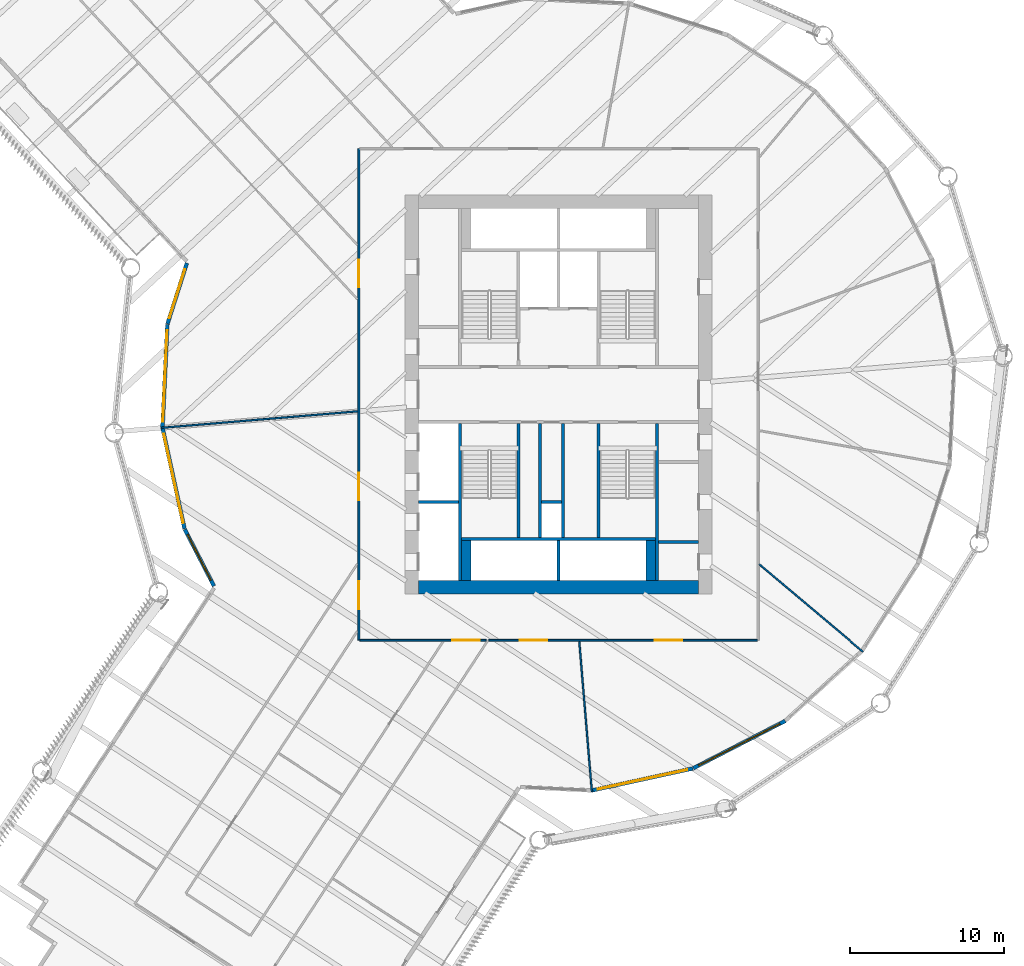
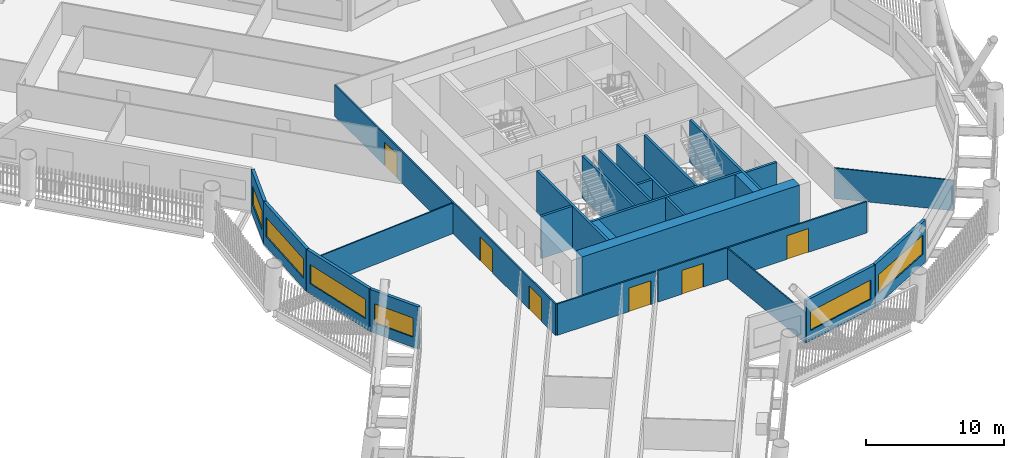
# One storey, part 4 of 22: 26 walls, 6 doors, 6 windows, 12 openings.
"""IFC4 building model written with IfcOpenShell, lengths in metres."""

from ifc_helpers import new_model, si_unit, direction, frame, frame_2d, origin, place, context, subcontext, project, spatial, rectangle, extrude, material, layer, layer_set, type_object, element, fill, save


model = new_model("IFC4")

# Units and contexts
model_context = context("Model", 3, precision=1e-05, world=origin(), true_north=direction((0.0, 1.0)))
body_context = subcontext(model_context, "Body", "Model", "MODEL_VIEW")
ifc_project = project(units=[si_unit("LENGTHUNIT", "METRE"), si_unit("AREAUNIT", "SQUARE_METRE"), si_unit("VOLUMEUNIT", "CUBIC_METRE"), si_unit("PLANEANGLEUNIT", "RADIAN"), si_unit("MASSUNIT", "GRAM", prefix="KILO")], contexts=[model_context])

# Site, building, storey
site_placement = place(None, origin())
site = spatial("IfcSite", under=ifc_project, at=site_placement, CompositionType="ELEMENT")
building_placement = place(site_placement, origin())
building = spatial("IfcBuilding", under=site, at=building_placement, Name="Tarsis Ring Headquarters", CompositionType="ELEMENT")
storey_placement = place(building_placement, frame((0.0, 0.0, 63.39990234375)))
storey = spatial("IfcBuildingStorey", under=building, at=storey_placement, Name="L13", CompositionType="ELEMENT", Elevation=63.39990234375)

# Walls
ifc_material_1 = material(Name="Blockwork", Category="masonry")
ifc_layer_1 = layer(ifc_material_1, 0.199951171875)
ifc_layer_set_1 = layer_set([ifc_layer_1], Name="Core blockwork wall 200")
wall_type_1 = type_object("IfcWallType", Name="Core blockwork wall 200", PredefinedType="PARTITIONING", material=ifc_layer_set_1)
wall_1_placement = place(storey_placement, frame((6.5, -9.60009765625, 0.0), z_axis=(0.0, 0.0, 1.0), x_axis=(1.0, 0.0, 0.0)))
element("IfcWall", 1, at=wall_1_placement, inside=storey, type_object=wall_type_1, Name="Core partition ED1", PredefinedType="PARTITIONING", context=body_context, shape_type="SweptSolid", body=[
    extrude(rectangle(XDim=2.60009765625, YDim=0.199951171875, at=frame_2d((1.300048828125, 0.0))), origin(), (0.0, 0.0, 1.0), 3.739990234375),
])
wall_2_placement = place(storey_placement, frame((-1.10009765625, -7.0, 0.0), z_axis=(0.0, 0.0, 1.0), x_axis=(1.0, 0.0, 0.0)))
element("IfcWall", 2, at=wall_2_placement, inside=storey, type_object=wall_type_1, Name="Core partition SP2", PredefinedType="PARTITIONING", context=body_context, shape_type="SweptSolid", body=[
    extrude(rectangle(XDim=1.300048828125, YDim=0.199951171875, at=frame_2d((0.64990234375, 0.0))), origin(), (0.0, 0.0, 1.0), 3.739990234375),
])
for number, where, z_axis, x_axis, name in (
    (3, (-1.199951171875, -9.300048828125, 0.0), (0.0, 0.0, 1.0), (0.0, 1.0, 0.0), "Core partition SV1"),
    (4, (0.300048828125, -9.300048828125, 0.0), (0.0, 0.0, 1.0), (0.0, 1.0, 0.0), "Core partition SV2"),
):
    element("IfcWall", number, at=place(storey_placement, frame(where, z_axis=z_axis, x_axis=x_axis)), inside=storey, type_object=wall_type_1, Name=name, PredefinedType="PARTITIONING", context=body_context, shape_type="SweptSolid", body=[
        extrude(rectangle(XDim=7.400146484375, YDim=0.199951171875, at=frame_2d((3.7001953125, 0.0))), origin(), (0.0, 0.0, 1.0), 3.739990234375),
    ])
ifc_material_2 = material(Name="Concrete C60/75", Category="concrete")
ifc_layer_2 = layer(ifc_material_2, 0.89990234375)
ifc_layer_set_2 = layer_set([ifc_layer_2], Name="Core wall 900 C60/75")
wall_type_2 = type_object("IfcWallType", Name="Core wall 900 C60/75", PredefinedType="SHEAR", material=ifc_layer_set_2)
wall_3_placement = place(storey_placement, frame((-9.10009765625, -12.550048828125, 0.0), z_axis=(0.0, 0.0, 1.0), x_axis=(1.0, 0.0, 0.0)))
element("IfcWall", 5, at=wall_3_placement, inside=storey, type_object=wall_type_2, Name="Core wall OS", PredefinedType="SHEAR", context=body_context, shape_type="SweptSolid", body=[
    extrude(rectangle(XDim=18.2001953125, YDim=0.89990234375, at=frame_2d((9.10009765625, 0.0))), origin(), (0.0, 0.0, 1.0), 3.739990234375),
])
ifc_material_3 = material(Name="Gypsum board on steel studs", Category="steel")
ifc_layer_3 = layer(ifc_material_3, 0.10009765625)
ifc_layer_set_3 = layer_set([ifc_layer_3], Name="FL partition 100 unrated")
wall_type_3 = type_object("IfcWallType", Name="FL partition 100 unrated", PredefinedType="PARTITIONING", material=ifc_layer_set_3)
wall_4_placement = place(storey_placement, frame((-25.856689453125, -2.17138671875, 0.0), z_axis=(0.0, 0.0, 1.0), x_axis=(0.996491354521, 0.083695760736, 0.0)))
element("IfcWall", 6, at=wall_4_placement, inside=storey, type_object=wall_type_3, Name="Partition PW3", PredefinedType="PARTITIONING", context=body_context, shape_type="SweptSolid", body=[
    extrude(rectangle(XDim=12.831787109375, YDim=0.10009765625, at=frame_2d((6.416015625, 0.0))), origin(), (0.0, 0.0, 1.0), 2.7001953125),
])
wall_5_placement = place(storey_placement, frame((1.349365234375, -16.06982421875, 0.0), z_axis=(0.0, 0.0, 1.0), x_axis=(0.083697604442, -0.996491199665, 0.0)))
element("IfcWall", 7, at=wall_5_placement, inside=storey, type_object=wall_type_3, Name="Partition PW3", PredefinedType="PARTITIONING", context=body_context, shape_type="SweptSolid", body=[
    extrude(rectangle(XDim=9.8212890625, YDim=0.10009765625, at=frame_2d((4.91064453125, 0.0))), origin(), (0.0, 0.0, 1.0), 2.7001953125),
])
wall_6_placement = place(storey_placement, frame((13.083984375, -11.056884765625, 0.0), z_axis=(0.0, 0.0, 1.0), x_axis=(0.763795720426, -0.645458052439, 0.0)))
element("IfcWall", 8, at=wall_6_placement, inside=storey, type_object=wall_type_3, Name="Partition PW3", PredefinedType="PARTITIONING", context=body_context, shape_type="SweptSolid", body=[
    extrude(rectangle(XDim=8.817626953125, YDim=0.10009765625, at=frame_2d((4.40869140625, 0.0))), origin(), (0.0, 0.0, 1.0), 2.7001953125),
])

# Wall, openings, doors
ifc_layer_4 = layer(ifc_material_3, 0.125)
ifc_layer_set_4 = layer_set([ifc_layer_4], Name="FL partition 125 EI 60 H2770")
wall_type_4 = type_object("IfcWallType", Name="FL partition 125 EI 60 H2770", PredefinedType="PARTITIONING", material=ifc_layer_set_4)
wall_7_placement = place(storey_placement, frame((-13.0, -15.9990234375, 0.0), z_axis=(0.0, 0.0, 1.0), x_axis=(0.0, 1.0, 0.0)))
wall_7 = element("IfcWall", 9, at=wall_7_placement, inside=storey, type_object=wall_type_4, Name="Partition PW1", PredefinedType="PARTITIONING", context=body_context, shape_type="SweptSolid", body=[
    extrude(rectangle(XDim=31.9990234375, YDim=0.125, at=frame_2d((15.99951171875, 0.0))), origin(), (0.0, 0.0, 1.0), 2.77001953125),
])
opening_1_placement = place(wall_7_placement, frame((9.11279296875, 0.0, 0.0)))
opening_1 = element("IfcOpeningElement", 10, at=opening_1_placement, cuts=wall_7, Name="Opening D13.11", PredefinedType="OPENING", context=body_context, shape_type="SweptSolid", body=[
    extrude(rectangle(XDim=1.800048828125, YDim=2.10009765625, at=frame_2d((0.89990234375, 1.050048828125))), frame((0.0, 0.072509765625, 0.0), z_axis=(0.0, -1.0, 0.0), x_axis=(1.0, 0.0, 0.0)), (0.0, 0.0, 1.0), 0.14501953125),
])
opening_2_placement = place(wall_7_placement, frame((2.026611328125, 0.0, 0.0)))
opening_2 = element("IfcOpeningElement", 11, at=opening_2_placement, cuts=wall_7, Name="Opening D13.17", PredefinedType="OPENING", context=body_context, shape_type="SweptSolid", body=[
    extrude(rectangle(XDim=1.800048828125, YDim=2.10009765625, at=frame_2d((0.89990234375, 1.050048828125))), frame((0.0, 0.072509765625, 0.0), z_axis=(0.0, -1.0, 0.0), x_axis=(1.0, 0.0, 0.0)), (0.0, 0.0, 1.0), 0.14501953125),
])
opening_3_placement = place(wall_7_placement, frame((22.970947265625, 0.0, 0.0)))
opening_3 = element("IfcOpeningElement", 12, at=opening_3_placement, cuts=wall_7, Name="Opening D13.19", PredefinedType="OPENING", context=body_context, shape_type="SweptSolid", body=[
    extrude(rectangle(XDim=1.800048828125, YDim=2.10009765625, at=frame_2d((0.89990234375, 1.050048828125))), frame((0.0, 0.072509765625, 0.0), z_axis=(0.0, -1.0, 0.0), x_axis=(1.0, 0.0, 0.0)), (0.0, 0.0, 1.0), 0.14501953125),
])
ifc_material_4 = material(Name="Fire-rated timber door leaf in steel frame", Category="steel")
door_type = type_object("IfcDoorType", Name="FL door FD60-1800", OperationType="DOUBLE_DOOR_SINGLE_SWING", PredefinedType="DOOR", material=ifc_material_4)
door_1_placement = place(opening_1_placement, origin())
door_1 = element("IfcDoor", 13, at=door_1_placement, inside=storey, type_object=door_type, Name="Door D13.11", OperationType="DOUBLE_DOOR_SINGLE_SWING", OverallHeight=2.10009765625, OverallWidth=1.800048828125, PredefinedType="DOOR", context=body_context, shape_type="SweptSolid", body=[
    extrude(rectangle(XDim=1.800048828125, YDim=2.10009765625, at=frame_2d((0.89990234375, 1.050048828125))), frame((0.0, 0.02490234375, 0.0), z_axis=(0.0, -1.0, 0.0), x_axis=(1.0, 0.0, 0.0)), (0.0, 0.0, 1.0), 0.050048828125),
])
fill(opening_1, door_1)
door_2_placement = place(opening_2_placement, origin())
door_2 = element("IfcDoor", 14, at=door_2_placement, inside=storey, type_object=door_type, Name="Door D13.17", OperationType="DOUBLE_DOOR_SINGLE_SWING", OverallHeight=2.10009765625, OverallWidth=1.800048828125, PredefinedType="DOOR", context=body_context, shape_type="SweptSolid", body=[
    extrude(rectangle(XDim=1.800048828125, YDim=2.10009765625, at=frame_2d((0.89990234375, 1.050048828125))), frame((0.0, 0.02490234375, 0.0), z_axis=(0.0, -1.0, 0.0), x_axis=(1.0, 0.0, 0.0)), (0.0, 0.0, 1.0), 0.050048828125),
])
fill(opening_2, door_2)
door_3_placement = place(opening_3_placement, origin())
door_3 = element("IfcDoor", 15, at=door_3_placement, inside=storey, type_object=door_type, Name="Door D13.19", OperationType="DOUBLE_DOOR_SINGLE_SWING", OverallHeight=2.10009765625, OverallWidth=1.800048828125, PredefinedType="DOOR", context=body_context, shape_type="SweptSolid", body=[
    extrude(rectangle(XDim=1.800048828125, YDim=2.10009765625, at=frame_2d((0.89990234375, 1.050048828125))), frame((0.0, 0.02490234375, 0.0), z_axis=(0.0, -1.0, 0.0), x_axis=(1.0, 0.0, 0.0)), (0.0, 0.0, 1.0), 0.050048828125),
])
fill(opening_3, door_3)

# Wall, opening, door
wall_8_placement = place(storey_placement, frame((-12.93896484375, -16.0, 0.0), z_axis=(0.0, 0.0, 1.0), x_axis=(1.0, 0.0, 0.0)))
wall_8 = element("IfcWall", 16, at=wall_8_placement, inside=storey, type_object=wall_type_4, Name="Partition PW1", PredefinedType="PARTITIONING", context=body_context, shape_type="SweptSolid", body=[
    extrude(rectangle(XDim=8.233154296875, YDim=0.125, at=frame_2d((4.11669921875, 0.0))), origin(), (0.0, 0.0, 1.0), 2.77001953125),
])
opening_4_placement = place(wall_8_placement, frame((6.0146484375, 0.0, 0.0)))
opening_4 = element("IfcOpeningElement", 17, at=opening_4_placement, cuts=wall_8, Name="Opening D13.18", PredefinedType="OPENING", context=body_context, shape_type="SweptSolid", body=[
    extrude(rectangle(XDim=1.800048828125, YDim=2.10009765625, at=frame_2d((0.89990234375, 1.050048828125))), frame((0.0, 0.072509765625, 0.0), z_axis=(0.0, -1.0, 0.0), x_axis=(1.0, 0.0, 0.0)), (0.0, 0.0, 1.0), 0.14501953125),
])
door_4_placement = place(opening_4_placement, origin())
door_4 = element("IfcDoor", 18, at=door_4_placement, inside=storey, type_object=door_type, Name="Door D13.18", OperationType="DOUBLE_DOOR_SINGLE_SWING", OverallHeight=2.10009765625, OverallWidth=1.800048828125, PredefinedType="DOOR", context=body_context, shape_type="SweptSolid", body=[
    extrude(rectangle(XDim=1.800048828125, YDim=2.10009765625, at=frame_2d((0.89990234375, 1.050048828125))), frame((0.0, 0.02490234375, 0.0), z_axis=(0.0, -1.0, 0.0), x_axis=(1.0, 0.0, 0.0)), (0.0, 0.0, 1.0), 0.050048828125),
])
fill(opening_4, door_4)

# Wall, openings, doors
wall_9_placement = place(storey_placement, frame((-4.5380859375, -16.0, 0.0), z_axis=(0.0, 0.0, 1.0), x_axis=(1.0, 0.0, 0.0)))
wall_9 = element("IfcWall", 19, at=wall_9_placement, inside=storey, type_object=wall_type_4, Name="Partition PW1", PredefinedType="PARTITIONING", context=body_context, shape_type="SweptSolid", body=[
    extrude(rectangle(XDim=17.47802734375, YDim=0.125, at=frame_2d((8.739013671875, 0.0))), origin(), (0.0, 0.0, 1.0), 2.77001953125),
])
opening_5_placement = place(wall_9_placement, frame((10.809814453125, 0.0, 0.0)))
opening_5 = element("IfcOpeningElement", 20, at=opening_5_placement, cuts=wall_9, Name="Opening D13.07", PredefinedType="OPENING", context=body_context, shape_type="SweptSolid", body=[
    extrude(rectangle(XDim=1.800048828125, YDim=2.10009765625, at=frame_2d((0.89990234375, 1.050048828125))), frame((0.0, 0.072509765625, 0.0), z_axis=(0.0, -1.0, 0.0), x_axis=(1.0, 0.0, 0.0)), (0.0, 0.0, 1.0), 0.14501953125),
])
opening_6_placement = place(wall_9_placement, frame((2.0146484375, 0.0, 0.0)))
opening_6 = element("IfcOpeningElement", 21, at=opening_6_placement, cuts=wall_9, Name="Opening D13.08", PredefinedType="OPENING", context=body_context, shape_type="SweptSolid", body=[
    extrude(rectangle(XDim=1.800048828125, YDim=2.10009765625, at=frame_2d((0.89990234375, 1.050048828125))), frame((0.0, 0.072509765625, 0.0), z_axis=(0.0, -1.0, 0.0), x_axis=(1.0, 0.0, 0.0)), (0.0, 0.0, 1.0), 0.14501953125),
])
door_5_placement = place(opening_5_placement, origin())
door_5 = element("IfcDoor", 22, at=door_5_placement, inside=storey, type_object=door_type, Name="Door D13.07", OperationType="DOUBLE_DOOR_SINGLE_SWING", OverallHeight=2.10009765625, OverallWidth=1.800048828125, PredefinedType="DOOR", context=body_context, shape_type="SweptSolid", body=[
    extrude(rectangle(XDim=1.800048828125, YDim=2.10009765625, at=frame_2d((0.89990234375, 1.050048828125))), frame((0.0, 0.02490234375, 0.0), z_axis=(0.0, -1.0, 0.0), x_axis=(1.0, 0.0, 0.0)), (0.0, 0.0, 1.0), 0.050048828125),
])
fill(opening_5, door_5)
door_6_placement = place(opening_6_placement, origin())
door_6 = element("IfcDoor", 23, at=door_6_placement, inside=storey, type_object=door_type, Name="Door D13.08", OperationType="DOUBLE_DOOR_SINGLE_SWING", OverallHeight=2.10009765625, OverallWidth=1.800048828125, PredefinedType="DOOR", context=body_context, shape_type="SweptSolid", body=[
    extrude(rectangle(XDim=1.800048828125, YDim=2.10009765625, at=frame_2d((0.89990234375, 1.050048828125))), frame((0.0, 0.02490234375, 0.0), z_axis=(0.0, -1.0, 0.0), x_axis=(1.0, 0.0, 0.0)), (0.0, 0.0, 1.0), 0.050048828125),
])
fill(opening_6, door_6)

# Wall, opening, window
ifc_material_5 = material(Name="Terracotta clad insulated panel wall", Category="masonry")
ifc_layer_5 = layer(ifc_material_5, 0.25)
ifc_layer_set_5 = layer_set([ifc_layer_5], Name="Facade wall terracotta panel 250")
wall_type_5 = type_object("IfcWallType", Name="Facade wall terracotta panel 250", PredefinedType="STANDARD", material=ifc_layer_set_5)
wall_10_placement = place(storey_placement, frame((-24.196044921875, 8.558349609375, 0.0), z_axis=(0.0, 0.0, 1.0), x_axis=(-0.30401069135, -0.952668620006, 0.0)))
wall_10 = element("IfcWall", 24, at=wall_10_placement, inside=storey, type_object=wall_type_5, Name="External wall L13-02", PredefinedType="STANDARD", context=body_context, shape_type="SweptSolid", body=[
    extrude(rectangle(XDim=4.157470703125, YDim=0.25, at=frame_2d((2.07861328125, 0.0))), origin(), (0.0, 0.0, 1.0), 3.739990234375),
])
opening_7_placement = place(wall_10_placement, frame((0.420166015625, 0.0, 0.89990234375)))
opening_7 = element("IfcOpeningElement", 25, at=opening_7_placement, cuts=wall_10, Name="Opening WN01", PredefinedType="OPENING", context=body_context, shape_type="SweptSolid", body=[
    extrude(rectangle(XDim=3.35009765625, YDim=1.699951171875, at=frame_2d((1.675048828125, 0.85009765625))), frame((0.0, 0.135009765625, 0.0), z_axis=(0.0, -1.0, 0.0), x_axis=(1.0, 0.0, 0.0)), (0.0, 0.0, 1.0), 0.27001953125),
])
ifc_material_6 = material(Name="Aluminium framed double glazing", Category="aluminium")
window_type_1 = type_object("IfcWindowType", Name="Facade window 3350 x 1700", PartitioningType="SINGLE_PANEL", PredefinedType="WINDOW", material=ifc_material_6)
window_1_placement = place(opening_7_placement, origin())
window_1 = element("IfcWindow", 26, at=window_1_placement, inside=storey, type_object=window_type_1, Name="Window L13-02.1", OverallHeight=1.699951171875, OverallWidth=3.35009765625, PartitioningType="SINGLE_PANEL", PredefinedType="WINDOW", context=body_context, shape_type="SweptSolid", body=[
    extrude(rectangle(XDim=3.35009765625, YDim=1.699951171875, at=frame_2d((1.675048828125, 0.85009765625))), frame((0.0, 0.030029296875, 0.0), z_axis=(0.0, -1.0, 0.0), x_axis=(1.0, 0.0, 0.0)), (0.0, 0.0, 1.0), 0.06005859375),
])
fill(opening_7, window_1)

wall_11_placement = place(storey_placement, frame((-25.4658203125, 4.5654296875, 0.0), z_axis=(0.0, 0.0, 1.0), x_axis=(-0.047109558842, -0.998889728381, 0.0)))
wall_11 = element("IfcWall", 27, at=wall_11_placement, inside=storey, type_object=wall_type_5, Name="External wall L13-03", PredefinedType="STANDARD", context=body_context, shape_type="SweptSolid", body=[
    extrude(rectangle(XDim=6.7216796875, YDim=0.25, at=frame_2d((3.36083984375, 0.0))), origin(), (0.0, 0.0, 1.0), 3.739990234375),
])
opening_8_placement = place(wall_11_placement, frame((0.3857421875, 0.0, 0.89990234375)))
opening_8 = element("IfcOpeningElement", 28, at=opening_8_placement, cuts=wall_11, Name="Opening WN07", PredefinedType="OPENING", context=body_context, shape_type="SweptSolid", body=[
    extrude(rectangle(XDim=5.949951171875, YDim=1.699951171875, at=frame_2d((2.97509765625, 0.85009765625))), frame((0.0, 0.135009765625, 0.0), z_axis=(0.0, -1.0, 0.0), x_axis=(1.0, 0.0, 0.0)), (0.0, 0.0, 1.0), 0.27001953125),
])
window_type_2 = type_object("IfcWindowType", Name="Facade window 5950 x 1700", PartitioningType="SINGLE_PANEL", PredefinedType="WINDOW", material=ifc_material_6)
window_2_placement = place(opening_8_placement, origin())
window_2 = element("IfcWindow", 29, at=window_2_placement, inside=storey, type_object=window_type_2, Name="Window L13-03.1", OverallHeight=1.699951171875, OverallWidth=5.949951171875, PartitioningType="SINGLE_PANEL", PredefinedType="WINDOW", context=body_context, shape_type="SweptSolid", body=[
    extrude(rectangle(XDim=5.949951171875, YDim=1.699951171875, at=frame_2d((2.97509765625, 0.85009765625))), frame((0.0, 0.030029296875, 0.0), z_axis=(0.0, -1.0, 0.0), x_axis=(1.0, 0.0, 0.0)), (0.0, 0.0, 1.0), 0.06005859375),
])
fill(opening_8, window_2)

wall_12_placement = place(storey_placement, frame((-25.77978515625, -2.18115234375, 0.0), z_axis=(0.0, 0.0, 1.0), x_axis=(0.213032797169, -0.977045048772, 0.0)))
wall_12 = element("IfcWall", 30, at=wall_12_placement, inside=storey, type_object=wall_type_5, Name="External wall L13-04", PredefinedType="STANDARD", context=body_context, shape_type="SweptSolid", body=[
    extrude(rectangle(XDim=6.721435546875, YDim=0.25, at=frame_2d((3.36083984375, 0.0))), origin(), (0.0, 0.0, 1.0), 3.739990234375),
])
opening_9_placement = place(wall_12_placement, frame((0.3857421875, 0.0, 0.89990234375)))
opening_9 = element("IfcOpeningElement", 31, at=opening_9_placement, cuts=wall_12, Name="Opening WN07", PredefinedType="OPENING", context=body_context, shape_type="SweptSolid", body=[
    extrude(rectangle(XDim=5.949951171875, YDim=1.699951171875, at=frame_2d((2.97509765625, 0.85009765625))), frame((0.0, 0.135009765625, 0.0), z_axis=(0.0, -1.0, 0.0), x_axis=(1.0, 0.0, 0.0)), (0.0, 0.0, 1.0), 0.27001953125),
])
window_3_placement = place(opening_9_placement, origin())
window_3 = element("IfcWindow", 32, at=window_3_placement, inside=storey, type_object=window_type_2, Name="Window L13-04.1", OverallHeight=1.699951171875, OverallWidth=5.949951171875, PartitioningType="SINGLE_PANEL", PredefinedType="WINDOW", context=body_context, shape_type="SweptSolid", body=[
    extrude(rectangle(XDim=5.949951171875, YDim=1.699951171875, at=frame_2d((2.97509765625, 0.85009765625))), frame((0.0, 0.030029296875, 0.0), z_axis=(0.0, -1.0, 0.0), x_axis=(1.0, 0.0, 0.0)), (0.0, 0.0, 1.0), 0.06005859375),
])
fill(opening_9, window_3)

wall_13_placement = place(storey_placement, frame((-24.336669921875, -8.779052734375, 0.0), z_axis=(0.0, 0.0, 1.0), x_axis=(0.458615995423, -0.888634552976, 0.0)))
wall_13 = element("IfcWall", 33, at=wall_13_placement, inside=storey, type_object=wall_type_5, Name="External wall L13-05", PredefinedType="STANDARD", context=body_context, shape_type="SweptSolid", body=[
    extrude(rectangle(XDim=4.157470703125, YDim=0.25, at=frame_2d((2.07861328125, 0.0))), origin(), (0.0, 0.0, 1.0), 3.739990234375),
])
opening_10_placement = place(wall_13_placement, frame((0.38720703125, 0.0, 0.89990234375)))
opening_10 = element("IfcOpeningElement", 34, at=opening_10_placement, cuts=wall_13, Name="Opening WN01", PredefinedType="OPENING", context=body_context, shape_type="SweptSolid", body=[
    extrude(rectangle(XDim=3.35009765625, YDim=1.699951171875, at=frame_2d((1.675048828125, 0.85009765625))), frame((0.0, 0.135009765625, 0.0), z_axis=(0.0, -1.0, 0.0), x_axis=(1.0, 0.0, 0.0)), (0.0, 0.0, 1.0), 0.27001953125),
])
window_4_placement = place(opening_10_placement, origin())
window_4 = element("IfcWindow", 35, at=window_4_placement, inside=storey, type_object=window_type_1, Name="Window L13-05.1", OverallHeight=1.699951171875, OverallWidth=3.35009765625, PartitioningType="SINGLE_PANEL", PredefinedType="WINDOW", context=body_context, shape_type="SweptSolid", body=[
    extrude(rectangle(XDim=3.35009765625, YDim=1.699951171875, at=frame_2d((1.675048828125, 0.85009765625))), frame((0.0, 0.030029296875, 0.0), z_axis=(0.0, -1.0, 0.0), x_axis=(1.0, 0.0, 0.0)), (0.0, 0.0, 1.0), 0.06005859375),
])
fill(opening_10, window_4)

wall_14_placement = place(storey_placement, frame((2.18115234375, -25.77978515625, 0.0), z_axis=(0.0, 0.0, 1.0), x_axis=(0.977045048772, 0.213032797169, 0.0)))
wall_14 = element("IfcWall", 36, at=wall_14_placement, inside=storey, type_object=wall_type_5, Name="External wall L13-18", PredefinedType="STANDARD", context=body_context, shape_type="SweptSolid", body=[
    extrude(rectangle(XDim=6.721435546875, YDim=0.25, at=frame_2d((3.36083984375, 0.0))), origin(), (0.0, 0.0, 1.0), 3.739990234375),
])
opening_11_placement = place(wall_14_placement, frame((0.3857421875, 0.0, 0.89990234375)))
opening_11 = element("IfcOpeningElement", 37, at=opening_11_placement, cuts=wall_14, Name="Opening WN07", PredefinedType="OPENING", context=body_context, shape_type="SweptSolid", body=[
    extrude(rectangle(XDim=5.949951171875, YDim=1.699951171875, at=frame_2d((2.97509765625, 0.85009765625))), frame((0.0, 0.135009765625, 0.0), z_axis=(0.0, -1.0, 0.0), x_axis=(1.0, 0.0, 0.0)), (0.0, 0.0, 1.0), 0.27001953125),
])
window_5_placement = place(opening_11_placement, origin())
window_5 = element("IfcWindow", 38, at=window_5_placement, inside=storey, type_object=window_type_2, Name="Window L13-18.1", OverallHeight=1.699951171875, OverallWidth=5.949951171875, PartitioningType="SINGLE_PANEL", PredefinedType="WINDOW", context=body_context, shape_type="SweptSolid", body=[
    extrude(rectangle(XDim=5.949951171875, YDim=1.699951171875, at=frame_2d((2.97509765625, 0.85009765625))), frame((0.0, 0.030029296875, 0.0), z_axis=(0.0, -1.0, 0.0), x_axis=(1.0, 0.0, 0.0)), (0.0, 0.0, 1.0), 0.06005859375),
])
fill(opening_11, window_5)

wall_15_placement = place(storey_placement, frame((8.779052734375, -24.336669921875, 0.0), z_axis=(0.0, 0.0, 1.0), x_axis=(0.888622089643, 0.458640144121, 0.0)))
wall_15 = element("IfcWall", 39, at=wall_15_placement, inside=storey, type_object=wall_type_5, Name="External wall L13-19", PredefinedType="STANDARD", context=body_context, shape_type="SweptSolid", body=[
    extrude(rectangle(XDim=6.721435546875, YDim=0.25, at=frame_2d((3.36083984375, 0.0))), origin(), (0.0, 0.0, 1.0), 3.739990234375),
])
opening_12_placement = place(wall_15_placement, frame((0.3857421875, 0.0, 0.89990234375)))
opening_12 = element("IfcOpeningElement", 40, at=opening_12_placement, cuts=wall_15, Name="Opening WN07", PredefinedType="OPENING", context=body_context, shape_type="SweptSolid", body=[
    extrude(rectangle(XDim=5.949951171875, YDim=1.699951171875, at=frame_2d((2.97509765625, 0.85009765625))), frame((0.0, 0.135009765625, 0.0), z_axis=(0.0, -1.0, 0.0), x_axis=(1.0, 0.0, 0.0)), (0.0, 0.0, 1.0), 0.27001953125),
])
window_6_placement = place(opening_12_placement, origin())
window_6 = element("IfcWindow", 41, at=window_6_placement, inside=storey, type_object=window_type_2, Name="Window L13-19.1", OverallHeight=1.699951171875, OverallWidth=5.949951171875, PartitioningType="SINGLE_PANEL", PredefinedType="WINDOW", context=body_context, shape_type="SweptSolid", body=[
    extrude(rectangle(XDim=5.949951171875, YDim=1.699951171875, at=frame_2d((2.97509765625, 0.85009765625))), frame((0.0, 0.030029296875, 0.0), z_axis=(0.0, -1.0, 0.0), x_axis=(1.0, 0.0, 0.0)), (0.0, 0.0, 1.0), 0.06005859375),
])
fill(opening_12, window_6)

# Walls
ifc_material_7 = material(Name="Concrete C32/40", Category="concrete")
ifc_layer_6 = layer(ifc_material_7, 0.60009765625)
ifc_layer_set_6 = layer_set([ifc_layer_6], Name="Shaft end wall 600 C32/40")
wall_type_6 = type_object("IfcWallType", Name="Shaft end wall 600 C32/40", PredefinedType="SOLIDWALL", material=ifc_layer_set_6)
for number, where, z_axis, x_axis, name in (
    (42, (-6.0, -12.10009765625, 0.0), (0.0, 0.0, 1.0), (0.0, 1.0, 0.0), "Core shaft wall SNE1"),
    (43, (6.0, -12.10009765625, 0.0), (0.0, 0.0, 1.0), (0.0, 1.0, 0.0), "Core shaft wall SNE2"),
):
    element("IfcWall", number, at=place(storey_placement, frame(where, z_axis=z_axis, x_axis=x_axis)), inside=storey, type_object=wall_type_6, Name=name, PredefinedType="SOLIDWALL", context=body_context, shape_type="SweptSolid", body=[
        extrude(rectangle(XDim=2.60009765625, YDim=0.60009765625, at=frame_2d((1.300048828125, 0.0))), origin(), (0.0, 0.0, 1.0), 3.739990234375),
    ])
ifc_layer_7 = layer(ifc_material_7, 0.199951171875)
ifc_layer_set_7 = layer_set([ifc_layer_7], Name="Shaft wall 200 C32/40")
wall_type_7 = type_object("IfcWallType", Name="Shaft wall 200 C32/40", PredefinedType="SOLIDWALL", material=ifc_layer_set_7)
for number, where, z_axis, x_axis, name in (
    (44, (-6.39990234375, -12.10009765625, 0.0), (0.0, 0.0, 1.0), (0.0, 1.0, 0.0), "Core shaft wall WB1"),
    (45, (6.39990234375, -12.10009765625, 0.0), (0.0, 0.0, 1.0), (0.0, 1.0, 0.0), "Core shaft wall EB1"),
):
    element("IfcWall", number, at=place(storey_placement, frame(where, z_axis=z_axis, x_axis=x_axis)), inside=storey, type_object=wall_type_7, Name=name, PredefinedType="SOLIDWALL", context=body_context, shape_type="SweptSolid", body=[
        extrude(rectangle(XDim=10.2001953125, YDim=0.199951171875, at=frame_2d((5.10009765625, 0.0))), origin(), (0.0, 0.0, 1.0), 3.739990234375),
    ])
wall_16_placement = place(storey_placement, frame((-6.300048828125, -9.39990234375, 0.0), z_axis=(0.0, 0.0, 1.0), x_axis=(1.0, 0.0, 0.0)))
element("IfcWall", 46, at=wall_16_placement, inside=storey, type_object=wall_type_7, Name="Core shaft wall SB", PredefinedType="SOLIDWALL", context=body_context, shape_type="SweptSolid", body=[
    extrude(rectangle(XDim=12.60009765625, YDim=0.199951171875, at=frame_2d((6.300048828125, 0.0))), origin(), (0.0, 0.0, 1.0), 3.739990234375),
])
for number, where, z_axis, x_axis, name in (
    (47, (-2.60009765625, -9.300048828125, 0.0), (0.0, 0.0, 1.0), (0.0, 1.0, 0.0), "Core shaft wall SW3"),
    (48, (2.60009765625, -9.300048828125, 0.0), (0.0, 0.0, 1.0), (0.0, 1.0, 0.0), "Core shaft wall SW4"),
):
    element("IfcWall", number, at=place(storey_placement, frame(where, z_axis=z_axis, x_axis=x_axis)), inside=storey, type_object=wall_type_7, Name=name, PredefinedType="SOLIDWALL", context=body_context, shape_type="SweptSolid", body=[
        extrude(rectangle(XDim=7.400146484375, YDim=0.199951171875, at=frame_2d((3.7001953125, 0.0))), origin(), (0.0, 0.0, 1.0), 3.739990234375),
    ])
for number, where, z_axis, x_axis, name in (
    (49, (-9.10009765625, -7.0, 0.0), (0.0, 0.0, 1.0), (1.0, 0.0, 0.0), "Core shaft wall WD2"),
    (50, (0.0, -12.10009765625, 0.0), (0.0, 0.0, 1.0), (0.0, 1.0, 0.0), "Core shaft wall SD2"),
):
    element("IfcWall", number, at=place(storey_placement, frame(where, z_axis=z_axis, x_axis=x_axis)), inside=storey, type_object=wall_type_7, Name=name, PredefinedType="SOLIDWALL", context=body_context, shape_type="SweptSolid", body=[
        extrude(rectangle(XDim=2.60009765625, YDim=0.199951171875, at=frame_2d((1.300048828125, 0.0))), origin(), (0.0, 0.0, 1.0), 3.739990234375),
    ])

save(model, "model.ifc")
